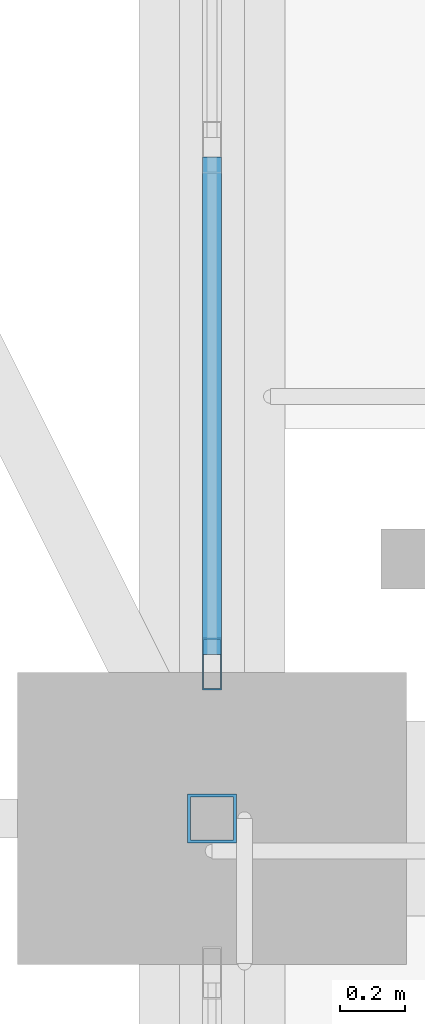
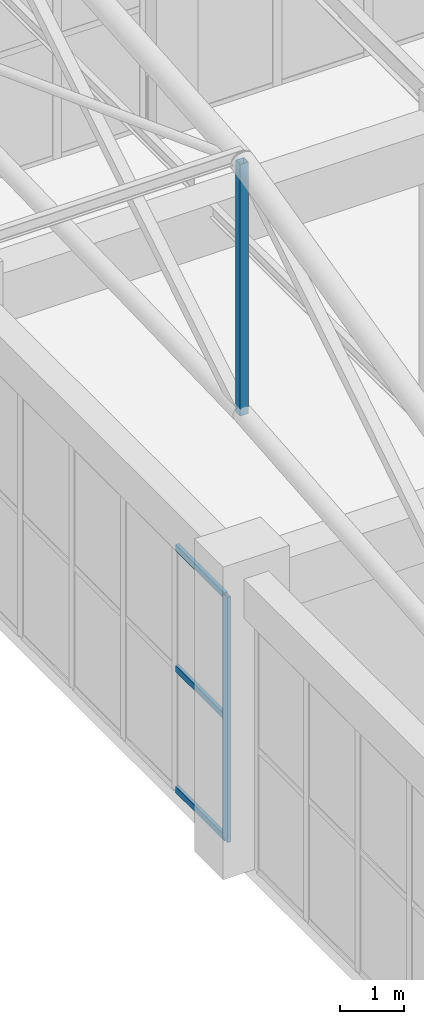
# One storey, part 98 of 223: 5 members, 1 element without a shape of its own.
"""IFC4 building model written with IfcOpenShell, lengths in metres."""

from ifc_helpers import new_model, si_unit, direction, frame, origin, origin_2d, place, context, subcontext, project, spatial, hollow_rectangle, extrude, material, layer, layer_set, material_profile, profile_set, type_object, element, aggregate, save


model = new_model("IFC4")

# Units and contexts
model_context = context("Model", 3, precision=1e-05, world=origin(), true_north=direction((0.0, 1.0)))
body_context = subcontext(model_context, "Body", "Model", "MODEL_VIEW")
ifc_project = project(units=[si_unit("LENGTHUNIT", "METRE"), si_unit("AREAUNIT", "SQUARE_METRE"), si_unit("VOLUMEUNIT", "CUBIC_METRE"), si_unit("PLANEANGLEUNIT", "RADIAN"), si_unit("MASSUNIT", "GRAM", prefix="KILO")], contexts=[model_context])

# Site, building, storey
site_placement = place(None, origin())
site = spatial("IfcSite", under=ifc_project, at=site_placement, CompositionType="ELEMENT")
building_placement = place(site_placement, origin())
building = spatial("IfcBuilding", under=site, at=building_placement, Name="Dornveld Trade and Exhibition Forum", CompositionType="ELEMENT")
storey_placement = place(building_placement, frame((0.0, 0.0, 6.0)))
storey = spatial("IfcBuildingStorey", under=building, at=storey_placement, Name="L01", CompositionType="ELEMENT", Elevation=6.0)

# Curtain wall, members
ifc_material_1 = material(Name="Dark-bronze anodised aluminium and low-E glass", Category="aluminium")
ifc_layer = layer(ifc_material_1, 0.175048828125)
ifc_layer_set = layer_set([ifc_layer], Name="Dark-bronze anodised aluminium and low-E glass")
curtain_wall_type = type_object("IfcCurtainWallType", Name="CW-SYS-11", PredefinedType="USERDEFINED", material=ifc_layer_set)
curtain_wall_placement = place(storey_placement, origin())
curtain_wall = element("IfcCurtainWall", 1, at=curtain_wall_placement, inside=storey, type_object=curtain_wall_type, Name="L01 unitised curtain wall 11", ObjectType="UNITISED_CURTAIN_WALL", PredefinedType="USERDEFINED")
ifc_material_2 = material(Name="Dark-bronze anodised aluminium", Category="aluminium")
ifc_material_profile_1 = material_profile(ifc_material_2, hollow_rectangle(XDim=0.06005859375, YDim=0.159912109375, WallThickness=0.00390625, at=origin_2d()), Name="RHS 160x60x4")
ifc_profile_set_1 = profile_set([ifc_material_profile_1], Name="Dark-bronze anodised aluminium")
member_type_1 = type_object("IfcMemberType", Name="CW-MUL-160", PredefinedType="MULLION", material=ifc_profile_set_1)
member_1_placement = place(storey_placement, frame((171.0, 126.47607421875, -0.00390625), z_axis=(0.0, 0.0, 1.0), x_axis=(-1.0, 0.0, 0.0)))
member_1 = element("IfcMember", 2, at=member_1_placement, type_object=member_type_1, Name="CW-11 mullion 1", PredefinedType="MULLION", context=body_context, shape_type="SweptSolid", body=[
    extrude(hollow_rectangle(XDim=0.06005859375, YDim=0.159912109375, WallThickness=0.00390625, at=origin_2d()), origin(), (0.0, 0.0, 1.0), 4.703857421875),
])
ifc_material_3 = material(Name="Dark-bronze anodised aluminium", Category="aluminium")
ifc_material_profile_2 = material_profile(ifc_material_3, hollow_rectangle(XDim=0.06005859375, YDim=0.1201171875, WallThickness=0.00390625, at=origin_2d()), Name="RHS 120x60x4")
ifc_profile_set_2 = profile_set([ifc_material_profile_2], Name="Dark-bronze anodised aluminium")
member_type_2 = type_object("IfcMemberType", Name="CW-TRN-120", PredefinedType="USERDEFINED", material=ifc_profile_set_2)
member_2_placement = place(storey_placement, frame((171.0, 126.506103515625, 0.02587890625), z_axis=(0.0, 1.0, 0.0), x_axis=(-1.0, 0.0, 0.0)))
member_2 = element("IfcMember", 3, at=member_2_placement, type_object=member_type_2, Name="CW-11 transom 1.1", ObjectType="TRANSOM", PredefinedType="USERDEFINED", context=body_context, shape_type="SweptSolid", body=[
    extrude(hollow_rectangle(XDim=0.06005859375, YDim=0.1201171875, WallThickness=0.00390625, at=origin_2d()), origin(), (0.0, 0.0, 1.0), 1.531494140625),
])
member_3_placement = place(storey_placement, frame((171.0, 126.506103515625, 2.347900390625), z_axis=(0.0, 1.0, 0.0), x_axis=(-1.0, 0.0, 0.0)))
member_3 = element("IfcMember", 4, at=member_3_placement, type_object=member_type_2, Name="CW-11 transom 1.2", ObjectType="TRANSOM", PredefinedType="USERDEFINED", context=body_context, shape_type="SweptSolid", body=[
    extrude(hollow_rectangle(XDim=0.06005859375, YDim=0.1201171875, WallThickness=0.00390625, at=origin_2d()), origin(), (0.0, 0.0, 1.0), 1.531494140625),
])
member_4_placement = place(storey_placement, frame((171.0, 126.506103515625, 4.669921875), z_axis=(0.0, 1.0, 0.0), x_axis=(-1.0, 0.0, 0.0)))
member_4 = element("IfcMember", 5, at=member_4_placement, type_object=member_type_2, Name="CW-11 transom 1.3", ObjectType="TRANSOM", PredefinedType="USERDEFINED", context=body_context, shape_type="SweptSolid", body=[
    extrude(hollow_rectangle(XDim=0.06005859375, YDim=0.1201171875, WallThickness=0.00390625, at=origin_2d()), origin(), (0.0, 0.0, 1.0), 1.531494140625),
])
aggregate(curtain_wall, [member_1, member_2, member_3, member_4])

# Member
ifc_material_4 = material(Name="Steel S355J2", Category="steel")
ifc_material_profile_3 = material_profile(ifc_material_4, hollow_rectangle(XDim=0.14990234375, YDim=0.14990234375, WallThickness=0.008056640625, at=origin_2d()), Name="SHS 150x150x8")
ifc_profile_set_3 = profile_set([ifc_material_profile_3], Name="Steel S355J2")
member_type_3 = type_object("IfcMemberType", Name="MEM-ARCH-STR", PredefinedType="STRUT", material=ifc_profile_set_3)
member_5_placement = place(storey_placement, frame((171.0, 126.0, 8.4833984375), z_axis=(0.0, 0.0, 1.0), x_axis=(1.0, 0.0, 0.0)))
element("IfcMember", 6, at=member_5_placement, inside=storey, type_object=member_type_3, Name="H1 truss 9 strut 3", PredefinedType="STRUT", context=body_context, shape_type="SweptSolid", body=[
    extrude(hollow_rectangle(XDim=0.14990234375, YDim=0.14990234375, WallThickness=0.008056640625, at=origin_2d()), origin(), (0.0, 0.0, 1.0), 4.833251953125),
])

save(model, "model.ifc")
